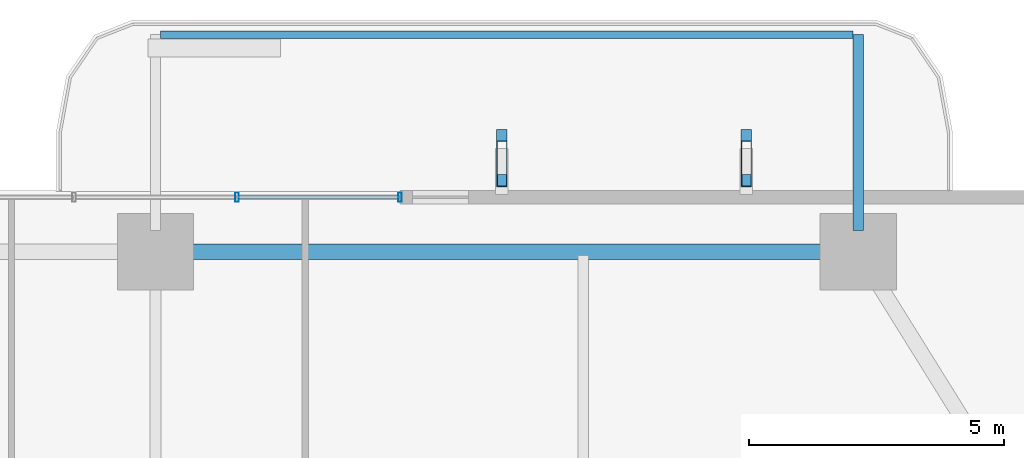
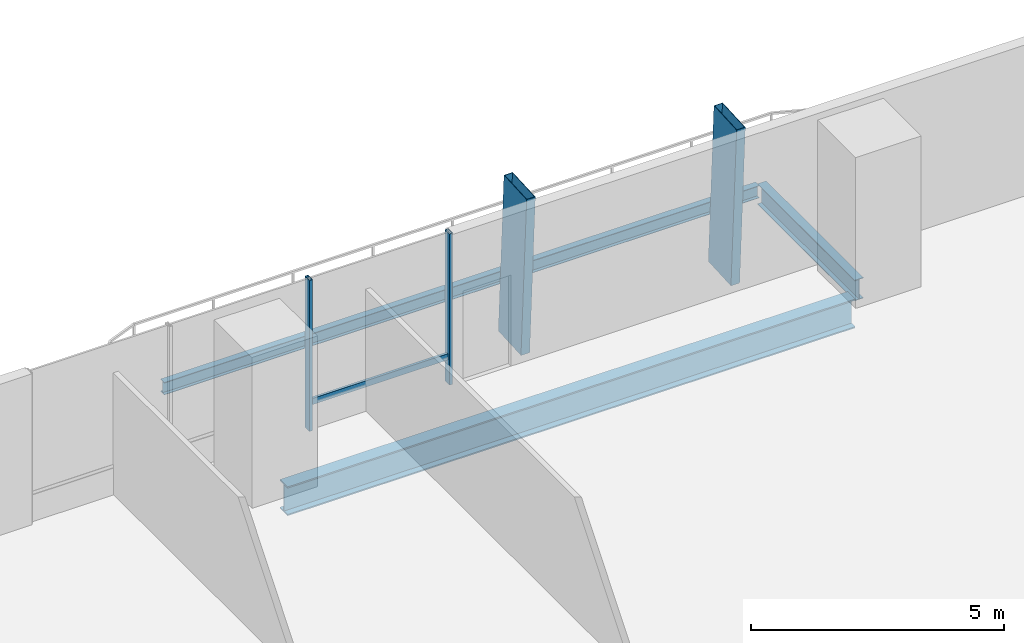
# One storey, part 15 of 23: 5 members, 3 beams, 1 element without a shape of its own.
"""IFC4 building model written with IfcOpenShell, lengths in metres."""

from ifc_helpers import new_model, si_unit, direction, frame, origin, origin_2d, place, context, subcontext, project, spatial, hollow_rectangle, i_section, extrude, material, layer, layer_set, material_profile, profile_set, type_object, element, aggregate, save


model = new_model("IFC4")

# Units and contexts
model_context = context("Model", 3, precision=1e-05, world=origin(), true_north=direction((0.0, 1.0)))
body_context = subcontext(model_context, "Body", "Model", "MODEL_VIEW")
ifc_project = project(units=[si_unit("LENGTHUNIT", "METRE"), si_unit("AREAUNIT", "SQUARE_METRE"), si_unit("VOLUMEUNIT", "CUBIC_METRE"), si_unit("PLANEANGLEUNIT", "RADIAN"), si_unit("MASSUNIT", "GRAM", prefix="KILO")], contexts=[model_context])

# Site, building, storey
site_placement = place(None, origin())
site = spatial("IfcSite", under=ifc_project, at=site_placement, CompositionType="ELEMENT")
building_placement = place(site_placement, origin())
building = spatial("IfcBuilding", under=site, at=building_placement, Name="Belovzor Exchange Tower", CompositionType="ELEMENT")
storey_placement = place(building_placement, frame((0.0, 0.0, 88.5)))
storey = spatial("IfcBuildingStorey", under=building, at=storey_placement, Name="L21", CompositionType="ELEMENT", Elevation=88.5)

# Beams
ifc_material_1 = material(Name="Steel S355", Category="steel")
ifc_material_profile_1 = material_profile(ifc_material_1, i_section(OverallWidth=0.199951171875, OverallDepth=0.5, WebThickness=0.01025390625, FlangeThickness=0.01611328125, at=origin_2d()))
ifc_profile_set_1 = profile_set([ifc_material_profile_1], Name="Steel S355")
beam_type_1 = type_object("IfcBeamType", Name="Planted Balcony Cantilever Beam IPE 500", PredefinedType="BEAM", material=ifc_profile_set_1)
beam_1_placement = place(storey_placement, frame((42.60009765625, 55.9130859375, -0.5), z_axis=(0.0, 1.0, 0.0), x_axis=(-1.0, 0.0, 0.0)))
element("IfcBeam", 1, at=beam_1_placement, inside=storey, type_object=beam_type_1, Name="BC-500 Planted Balcony Cantilever Beam IPE 500", PredefinedType="BEAM", context=body_context, shape_type="SweptSolid", body=[
    extrude(i_section(OverallWidth=0.199951171875, OverallDepth=0.5, WebThickness=0.01025390625, FlangeThickness=0.01611328125, at=origin_2d()), origin(), (0.0, 0.0, 1.0), 3.849853515625),
])
ifc_material_2 = material(Name="Steel S355", Category="steel")
ifc_material_profile_2 = material_profile(ifc_material_2, i_section(OverallWidth=0.14990234375, OverallDepth=0.300048828125, WebThickness=0.007080078125, FlangeThickness=0.0107421875, at=origin_2d()))
ifc_profile_set_2 = profile_set([ifc_material_profile_2], Name="Steel S355")
beam_type_2 = type_object("IfcBeamType", Name="Planted Balcony Fascia Edge Beam IPE 300", PredefinedType="BEAM", material=ifc_profile_set_2)
beam_2_placement = place(storey_placement, frame((42.5, 59.762939453125, -0.39990234375), z_axis=(-1.0, 0.0, 0.0), x_axis=(0.0, -1.0, 0.0)))
element("IfcBeam", 2, at=beam_2_placement, inside=storey, type_object=beam_type_2, Name="BC-300 Planted Balcony Fascia Edge Beam IPE 300", PredefinedType="BEAM", context=body_context, shape_type="SweptSolid", body=[
    extrude(i_section(OverallWidth=0.14990234375, OverallDepth=0.300048828125, WebThickness=0.007080078125, FlangeThickness=0.0107421875, at=origin_2d()), origin(), (0.0, 0.0, 1.0), 13.60009765625),
])

# Members
ifc_material_3 = material(Name="Extruded Architectural Terracotta on Steel S355 Carrier", Category="masonry")
ifc_material_profile_3 = material_profile(ifc_material_3, hollow_rectangle(XDim=0.199951171875, YDim=0.89990234375, WallThickness=0.011962890625, at=origin_2d()))
ifc_profile_set_3 = profile_set([ifc_material_profile_3], Name="Extruded Architectural Terracotta on Steel S355 Carrier")
member_type_1 = type_object("IfcMemberType", Name="Sweeping Terracotta Baguette Fin Assembly 1250", PredefinedType="USERDEFINED", material=ifc_profile_set_3)
for number, where, z_axis, x_axis, name in (
    (3, (35.60009765625, 57.449951171875, -0.25), (0.0, -0.057560598171, 0.998342014311), (1.0, 0.0, 0.0), "FIN-TC125 Terracotta Facade Fin L21 N3"),
    (4, (40.39990234375, 57.449951171875, -0.25), (0.0, -0.057560598171, 0.998342014311), (1.0, 0.0, 0.0), "FIN-TC125 Terracotta Facade Fin L21 N4"),
):
    element("IfcMember", number, at=place(storey_placement, frame(where, z_axis=z_axis, x_axis=x_axis)), inside=storey, type_object=member_type_1, Name=name, ObjectType="FIN", PredefinedType="USERDEFINED", context=body_context, shape_type="SweptSolid", body=[
        extrude(hollow_rectangle(XDim=0.199951171875, YDim=0.89990234375, WallThickness=0.011962890625, at=origin_2d()), origin(), (0.0, 0.0, 1.0), 3.906494140625),
    ])

# Curtain wall, members
ifc_material_4 = material(Name="Anodised Aluminium Framing", Category="aluminium")
ifc_layer = layer(ifc_material_4, 0.179931640625)
ifc_layer_set = layer_set([ifc_layer], Name="Anodised Aluminium Framing")
curtain_wall_type = type_object("IfcCurtainWallType", Name="Recessed Loggia Low-Iron Triple-Glazed Curtain Wall", PredefinedType="NOTDEFINED", material=ifc_layer_set)
curtain_wall_placement = place(storey_placement, origin())
curtain_wall = element("IfcCurtainWall", 5, at=curtain_wall_placement, inside=storey, type_object=curtain_wall_type, Name="CW3 Recessed Loggia Low-Iron Triple-Glazed Curtain Wall L21", PredefinedType="NOTDEFINED")
ifc_material_5 = material(Name="Steel S355", Category="steel")
ifc_material_profile_4 = material_profile(ifc_material_5, hollow_rectangle(XDim=0.074951171875, YDim=0.179931640625, WallThickness=0.0048828125, at=origin_2d()))
ifc_profile_set_4 = profile_set([ifc_material_profile_4], Name="Steel S355")
member_type_2 = type_object("IfcMemberType", Name="Thermally Broken Curtain Wall Mullion 180x75", PredefinedType="MULLION", material=ifc_profile_set_4)
member_1_placement = place(storey_placement, frame((30.39990234375, 56.570068359375, 0.0), z_axis=(0.0, 0.0, 1.0), x_axis=(1.0, 0.0, 0.0)))
member_1 = element("IfcMember", 6, at=member_1_placement, type_object=member_type_2, Name="CW-M180 Curtain Wall Mullion 3", PredefinedType="MULLION", context=body_context, shape_type="SweptSolid", body=[
    extrude(hollow_rectangle(XDim=0.074951171875, YDim=0.179931640625, WallThickness=0.0048828125, at=origin_2d()), origin(), (0.0, 0.0, 1.0), 3.64990234375),
])
member_2_placement = place(storey_placement, frame((33.60009765625, 56.570068359375, 0.0), z_axis=(0.0, 0.0, 1.0), x_axis=(1.0, 0.0, 0.0)))
member_2 = element("IfcMember", 7, at=member_2_placement, type_object=member_type_2, Name="CW-M180 Curtain Wall Mullion 4", PredefinedType="MULLION", context=body_context, shape_type="SweptSolid", body=[
    extrude(hollow_rectangle(XDim=0.074951171875, YDim=0.179931640625, WallThickness=0.0048828125, at=origin_2d()), origin(), (0.0, 0.0, 1.0), 3.64990234375),
])
ifc_material_6 = material(Name="Steel S355", Category="steel")
ifc_material_profile_5 = material_profile(ifc_material_6, hollow_rectangle(XDim=0.06005859375, YDim=0.14990234375, WallThickness=0.00390625, at=origin_2d()))
ifc_profile_set_5 = profile_set([ifc_material_profile_5], Name="Steel S355")
member_type_3 = type_object("IfcMemberType", Name="Thermally Broken Curtain Wall Transom 150x60", PredefinedType="USERDEFINED", material=ifc_profile_set_5)
member_3_placement = place(storey_placement, frame((30.407958984375, 56.570068359375, 0.64990234375), z_axis=(1.0, 0.0, 0.0), x_axis=(0.0, 1.0, 0.0)))
member_3 = element("IfcMember", 8, at=member_3_placement, type_object=member_type_3, Name="CW-T150 Curtain Wall Transom 3", ObjectType="TRANSOM", PredefinedType="USERDEFINED", context=body_context, shape_type="SweptSolid", body=[
    extrude(hollow_rectangle(XDim=0.06005859375, YDim=0.14990234375, WallThickness=0.00390625, at=origin_2d()), origin(), (0.0, 0.0, 1.0), 3.18408203125),
])
aggregate(curtain_wall, [member_1, member_2, member_3])

# Beam
ifc_material_7 = material(Name="Steel S355", Category="steel")
ifc_material_profile_6 = material_profile(ifc_material_7, i_section(OverallWidth=0.300048828125, OverallDepth=0.699951171875, WebThickness=0.01708984375, FlangeThickness=0.031982421875, at=origin_2d()))
ifc_profile_set_6 = profile_set([ifc_material_profile_6], Name="Steel S355")
beam_type_3 = type_object("IfcBeamType", Name="Zone 1 Primary Perimeter Girder HEB 700", PredefinedType="BEAM", material=ifc_profile_set_6)
beam_3_placement = place(storey_placement, frame((42.18798828125, 55.5, -0.60009765625), z_axis=(-1.0, 0.0, 0.0), x_axis=(0.0, -1.0, 0.0)))
element("IfcBeam", 9, at=beam_3_placement, inside=storey, type_object=beam_type_3, Name="FG-Z1 Zone 1 Primary Perimeter Girder HEB 700", PredefinedType="BEAM", context=body_context, shape_type="SweptSolid", body=[
    extrude(i_section(OverallWidth=0.300048828125, OverallDepth=0.699951171875, WebThickness=0.01708984375, FlangeThickness=0.031982421875, at=origin_2d()), origin(), (0.0, 0.0, 1.0), 12.97509765625),
])

save(model, "model.ifc")
